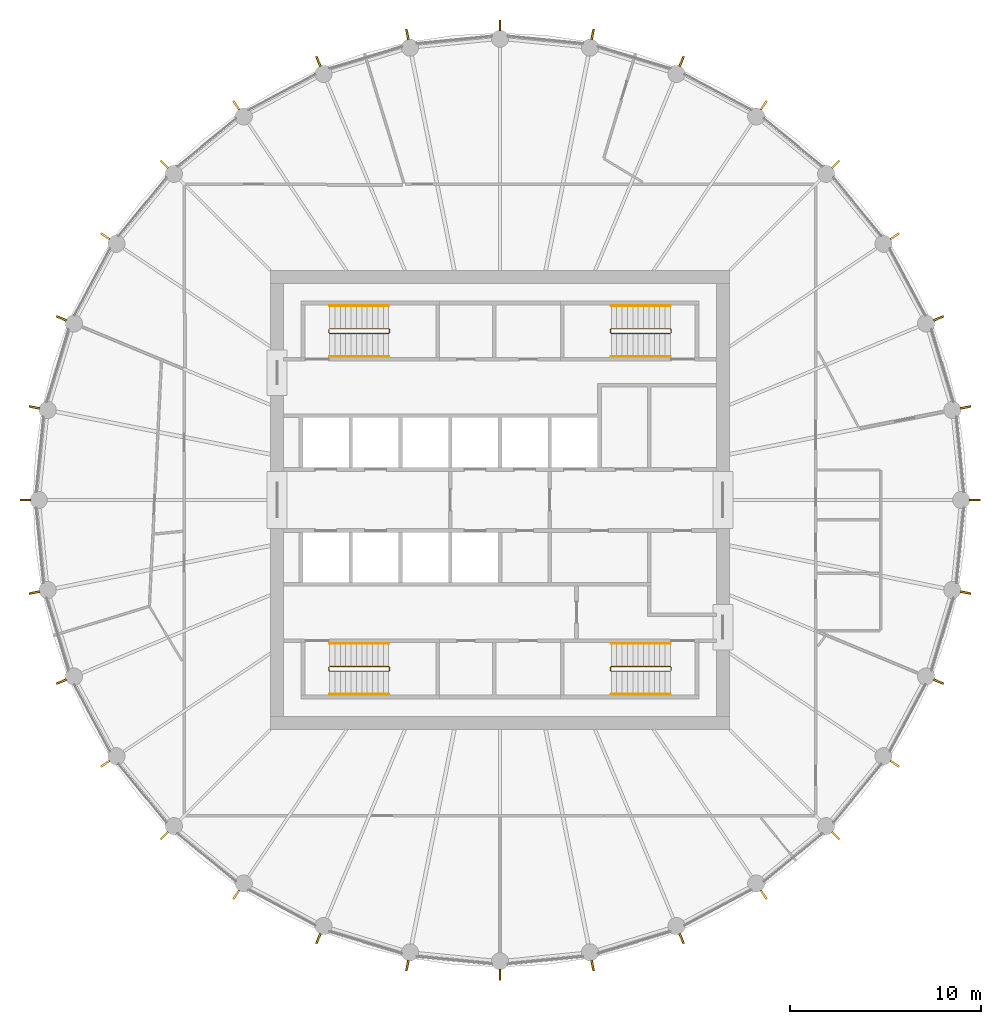
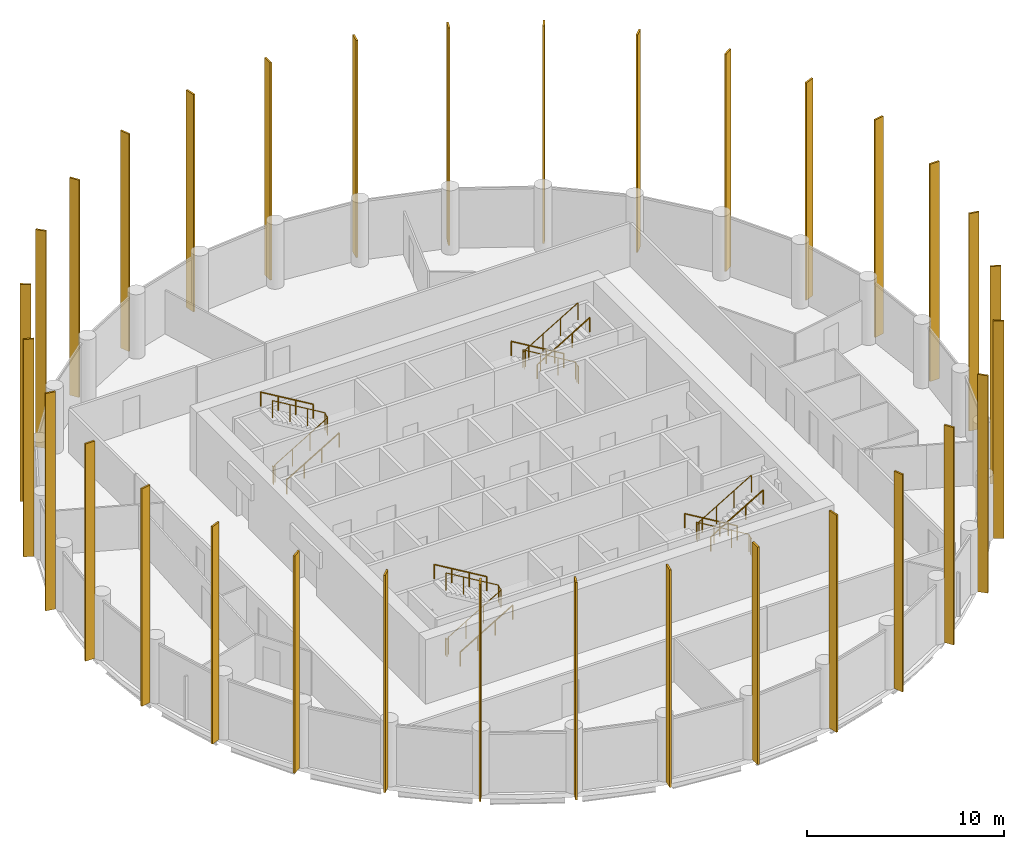
# One storey, part 7 of 7: 32 shading devices, 12 railings.
"""IFC4 building model written with IfcOpenShell, lengths in metres."""

from ifc_helpers import new_model, si_unit, direction, frame, origin, origin_2d, place, context, subcontext, project, spatial, rectangle, circle, extrude, material, material_profile, profile_set, type_object, element, save


model = new_model("IFC4")

# Units and contexts
model_context = context("Model", 3, precision=1e-05, world=origin(), true_north=direction((0.0, 1.0)))
body_context = subcontext(model_context, "Body", "Model", "MODEL_VIEW")
ifc_project = project(units=[si_unit("LENGTHUNIT", "METRE"), si_unit("AREAUNIT", "SQUARE_METRE"), si_unit("VOLUMEUNIT", "CUBIC_METRE"), si_unit("PLANEANGLEUNIT", "RADIAN"), si_unit("MASSUNIT", "GRAM", prefix="KILO")], contexts=[model_context])

# Site, building, storey
site_placement = place(None, origin())
site = spatial("IfcSite", under=ifc_project, at=site_placement, CompositionType="ELEMENT")
building_placement = place(site_placement, origin())
building = spatial("IfcBuilding", under=site, at=building_placement, Name="Corvane Civic Tower", CompositionType="ELEMENT")
storey_placement = place(building_placement, frame((0.0, 0.0, 311.0)))
storey = spatial("IfcBuildingStorey", under=building, at=storey_placement, Name="L74", CompositionType="ELEMENT", Elevation=311.0)

# Railings
ifc_material_1 = material(Name="Steel ASTM A572 Gr 50", Category="steel")
railing_type_1 = type_object("IfcRailingType", Name="ST-GUARD-1100", PredefinedType="GUARDRAIL", material=ifc_material_1)
railing_1_placement = place(storey_placement, frame((8.949951171875, 8.75, 0.0)))
element("IfcRailing", 1, at=railing_1_placement, inside=storey, type_object=railing_type_1, Name="L74 ST1 stair guard 1", PredefinedType="GUARDRAIL", context=body_context, shape_type="SweptSolid", body=[
    extrude(circle(Radius=0.02392578125, at=origin_2d()), frame((0.0, 0.0, 1.076171875), z_axis=(0.0, 1.0, 0.0), x_axis=(-1.0, 0.0, 0.0)), (0.0, 0.0, 1.0), 0.14990234375),
    extrude(circle(Radius=0.02392578125, at=origin_2d()), frame((0.0, 0.14990234375, 1.076171875), z_axis=(-0.27628659633, 0.27628659633, 0.920506074601), x_axis=(-0.707106781187, -0.707106781187, 0.0)), (0.0, 0.0, 1.0), 0.18115234375),
    extrude(circle(Radius=0.02392578125, at=origin_2d()), frame((-0.050048828125, 0.199951171875, 1.24267578125), z_axis=(-0.859290745958, 0.0, 0.51148745235), x_axis=(0.0, -1.0, 0.0)), (0.0, 0.0, 1.0), 3.584228515625),
    extrude(circle(Radius=0.02392578125, at=origin_2d()), frame((-3.1298828125, 0.199951171875, 3.076171875), z_axis=(-0.707106781187, -0.707106781187, 0.0), x_axis=(0.707106781187, -0.707106781187, 0.0)), (0.0, 0.0, 1.0), 0.07080078125),
    extrude(circle(Radius=0.02392578125, at=origin_2d()), frame((-3.179931640625, 0.14990234375, 3.076171875), z_axis=(0.0, -1.0, 0.0), x_axis=(1.0, 0.0, 0.0)), (0.0, 0.0, 1.0), 0.14990234375),
    extrude(circle(Radius=0.02392578125, at=origin_2d()), frame((-3.179931640625, 0.0, 3.076171875), z_axis=(0.27628659633, -0.27628659633, 0.920506074601), x_axis=(0.707106781187, 0.707106781187, 0.0)), (0.0, 0.0, 1.0), 0.18115234375),
    extrude(circle(Radius=0.02392578125, at=origin_2d()), frame((-3.1298828125, -0.050048828125, 3.24267578125), z_axis=(0.859290745958, 0.0, 0.51148745235), x_axis=(0.0, 1.0, 0.0)), (0.0, 0.0, 1.0), 3.584228515625),
    extrude(circle(Radius=0.02099609375, at=origin_2d()), origin(), (0.0, 0.0, 1.0), 1.052001953125),
    extrude(circle(Radius=0.02099609375, at=origin_2d()), frame((0.0, 0.14990234375, 0.0)), (0.0, 0.0, 1.0), 1.052001953125),
    extrude(circle(Radius=0.02099609375, at=origin_2d()), frame((-0.050048828125, 0.199951171875, 0.166748046875)), (0.0, 0.0, 1.0), 1.052001953125),
    extrude(circle(Radius=0.02099609375, at=origin_2d()), frame((-1.07666015625, 0.199951171875, 0.77783203125)), (0.0, 0.0, 1.0), 1.052001953125),
    extrude(circle(Radius=0.02099609375, at=origin_2d()), frame((-2.103271484375, 0.199951171875, 1.388916015625)), (0.0, 0.0, 1.0), 1.052001953125),
    extrude(circle(Radius=0.02099609375, at=origin_2d()), frame((-3.1298828125, 0.199951171875, 2.0)), (0.0, 0.0, 1.0), 1.052001953125),
    extrude(circle(Radius=0.02099609375, at=origin_2d()), frame((-3.179931640625, 0.14990234375, 2.0)), (0.0, 0.0, 1.0), 1.052001953125),
    extrude(circle(Radius=0.02099609375, at=origin_2d()), frame((-3.179931640625, 0.0, 2.0)), (0.0, 0.0, 1.0), 1.052001953125),
    extrude(circle(Radius=0.02099609375, at=origin_2d()), frame((-3.1298828125, -0.050048828125, 2.166748046875)), (0.0, 0.0, 1.0), 1.052001953125),
    extrude(circle(Radius=0.02099609375, at=origin_2d()), frame((-2.103271484375, -0.050048828125, 2.77783203125)), (0.0, 0.0, 1.0), 1.052001953125),
    extrude(circle(Radius=0.02099609375, at=origin_2d()), frame((-1.07666015625, -0.050048828125, 3.388916015625)), (0.0, 0.0, 1.0), 1.052001953125),
    extrude(circle(Radius=0.02099609375, at=origin_2d()), frame((-0.050048828125, -0.050048828125, 4.0)), (0.0, 0.0, 1.0), 1.052001953125),
])
railing_2_placement = place(storey_placement, frame((8.949951171875, -8.89990234375, 0.0)))
element("IfcRailing", 2, at=railing_2_placement, inside=storey, type_object=railing_type_1, Name="L74 ST2 stair guard 1", PredefinedType="GUARDRAIL", context=body_context, shape_type="SweptSolid", body=[
    extrude(circle(Radius=0.02392578125, at=origin_2d()), frame((0.0, 0.0, 1.076171875), z_axis=(0.0, 1.0, 0.0), x_axis=(-1.0, 0.0, 0.0)), (0.0, 0.0, 1.0), 0.14990234375),
    extrude(circle(Radius=0.02392578125, at=origin_2d()), frame((0.0, 0.14990234375, 1.076171875), z_axis=(-0.27628659633, 0.27628659633, 0.920506074601), x_axis=(-0.707106781187, -0.707106781187, 0.0)), (0.0, 0.0, 1.0), 0.18115234375),
    extrude(circle(Radius=0.02392578125, at=origin_2d()), frame((-0.050048828125, 0.199951171875, 1.24267578125), z_axis=(-0.859290745958, 0.0, 0.51148745235), x_axis=(0.0, -1.0, 0.0)), (0.0, 0.0, 1.0), 3.584228515625),
    extrude(circle(Radius=0.02392578125, at=origin_2d()), frame((-3.1298828125, 0.199951171875, 3.076171875), z_axis=(-0.707106781187, -0.707106781187, 0.0), x_axis=(0.707106781187, -0.707106781187, 0.0)), (0.0, 0.0, 1.0), 0.07080078125),
    extrude(circle(Radius=0.02392578125, at=origin_2d()), frame((-3.179931640625, 0.14990234375, 3.076171875), z_axis=(0.0, -1.0, 0.0), x_axis=(1.0, 0.0, 0.0)), (0.0, 0.0, 1.0), 0.14990234375),
    extrude(circle(Radius=0.02392578125, at=origin_2d()), frame((-3.179931640625, 0.0, 3.076171875), z_axis=(0.27628659633, -0.27628659633, 0.920506074601), x_axis=(0.707106781187, 0.707106781187, 0.0)), (0.0, 0.0, 1.0), 0.18115234375),
    extrude(circle(Radius=0.02392578125, at=origin_2d()), frame((-3.1298828125, -0.050048828125, 3.24267578125), z_axis=(0.859290745958, 0.0, 0.51148745235), x_axis=(0.0, 1.0, 0.0)), (0.0, 0.0, 1.0), 3.584228515625),
    extrude(circle(Radius=0.02099609375, at=origin_2d()), origin(), (0.0, 0.0, 1.0), 1.052001953125),
    extrude(circle(Radius=0.02099609375, at=origin_2d()), frame((0.0, 0.14990234375, 0.0)), (0.0, 0.0, 1.0), 1.052001953125),
    extrude(circle(Radius=0.02099609375, at=origin_2d()), frame((-0.050048828125, 0.199951171875, 0.166748046875)), (0.0, 0.0, 1.0), 1.052001953125),
    extrude(circle(Radius=0.02099609375, at=origin_2d()), frame((-1.07666015625, 0.199951171875, 0.77783203125)), (0.0, 0.0, 1.0), 1.052001953125),
    extrude(circle(Radius=0.02099609375, at=origin_2d()), frame((-2.103271484375, 0.199951171875, 1.388916015625)), (0.0, 0.0, 1.0), 1.052001953125),
    extrude(circle(Radius=0.02099609375, at=origin_2d()), frame((-3.1298828125, 0.199951171875, 2.0)), (0.0, 0.0, 1.0), 1.052001953125),
    extrude(circle(Radius=0.02099609375, at=origin_2d()), frame((-3.179931640625, 0.14990234375, 2.0)), (0.0, 0.0, 1.0), 1.052001953125),
    extrude(circle(Radius=0.02099609375, at=origin_2d()), frame((-3.179931640625, 0.0, 2.0)), (0.0, 0.0, 1.0), 1.052001953125),
    extrude(circle(Radius=0.02099609375, at=origin_2d()), frame((-3.1298828125, -0.050048828125, 2.166748046875)), (0.0, 0.0, 1.0), 1.052001953125),
    extrude(circle(Radius=0.02099609375, at=origin_2d()), frame((-2.103271484375, -0.050048828125, 2.77783203125)), (0.0, 0.0, 1.0), 1.052001953125),
    extrude(circle(Radius=0.02099609375, at=origin_2d()), frame((-1.07666015625, -0.050048828125, 3.388916015625)), (0.0, 0.0, 1.0), 1.052001953125),
    extrude(circle(Radius=0.02099609375, at=origin_2d()), frame((-0.050048828125, -0.050048828125, 4.0)), (0.0, 0.0, 1.0), 1.052001953125),
])
railing_3_placement = place(storey_placement, frame((-8.949951171875, -8.75, 0.0)))
element("IfcRailing", 3, at=railing_3_placement, inside=storey, type_object=railing_type_1, Name="L74 ST3 stair guard 1", PredefinedType="GUARDRAIL", context=body_context, shape_type="SweptSolid", body=[
    extrude(circle(Radius=0.02392578125, at=origin_2d()), frame((0.0, 0.0, 1.076171875), z_axis=(0.0, -1.0, 0.0), x_axis=(1.0, 0.0, 0.0)), (0.0, 0.0, 1.0), 0.14990234375),
    extrude(circle(Radius=0.02392578125, at=origin_2d()), frame((0.0, -0.14990234375, 1.076171875), z_axis=(0.27628659633, -0.27628659633, 0.920506074601), x_axis=(0.707106781187, 0.707106781187, 0.0)), (0.0, 0.0, 1.0), 0.18115234375),
    extrude(circle(Radius=0.02392578125, at=origin_2d()), frame((0.050048828125, -0.199951171875, 1.24267578125), z_axis=(0.859290745958, 0.0, 0.51148745235), x_axis=(0.0, 1.0, 0.0)), (0.0, 0.0, 1.0), 3.584228515625),
    extrude(circle(Radius=0.02392578125, at=origin_2d()), frame((3.1298828125, -0.199951171875, 3.076171875), z_axis=(0.707106781187, 0.707106781187, 0.0), x_axis=(-0.707106781187, 0.707106781187, 0.0)), (0.0, 0.0, 1.0), 0.07080078125),
    extrude(circle(Radius=0.02392578125, at=origin_2d()), frame((3.179931640625, -0.14990234375, 3.076171875), z_axis=(0.0, 1.0, 0.0), x_axis=(-1.0, 0.0, 0.0)), (0.0, 0.0, 1.0), 0.14990234375),
    extrude(circle(Radius=0.02392578125, at=origin_2d()), frame((3.179931640625, 0.0, 3.076171875), z_axis=(-0.27628659633, 0.27628659633, 0.920506074601), x_axis=(-0.707106781187, -0.707106781187, 0.0)), (0.0, 0.0, 1.0), 0.18115234375),
    extrude(circle(Radius=0.02392578125, at=origin_2d()), frame((3.1298828125, 0.050048828125, 3.24267578125), z_axis=(-0.859290745958, 0.0, 0.51148745235), x_axis=(0.0, -1.0, 0.0)), (0.0, 0.0, 1.0), 3.584228515625),
    extrude(circle(Radius=0.02099609375, at=origin_2d()), origin(), (0.0, 0.0, 1.0), 1.052001953125),
    extrude(circle(Radius=0.02099609375, at=origin_2d()), frame((0.0, -0.14990234375, 0.0)), (0.0, 0.0, 1.0), 1.052001953125),
    extrude(circle(Radius=0.02099609375, at=origin_2d()), frame((0.050048828125, -0.199951171875, 0.166748046875)), (0.0, 0.0, 1.0), 1.052001953125),
    extrude(circle(Radius=0.02099609375, at=origin_2d()), frame((1.07666015625, -0.199951171875, 0.77783203125)), (0.0, 0.0, 1.0), 1.052001953125),
    extrude(circle(Radius=0.02099609375, at=origin_2d()), frame((2.103271484375, -0.199951171875, 1.388916015625)), (0.0, 0.0, 1.0), 1.052001953125),
    extrude(circle(Radius=0.02099609375, at=origin_2d()), frame((3.1298828125, -0.199951171875, 2.0)), (0.0, 0.0, 1.0), 1.052001953125),
    extrude(circle(Radius=0.02099609375, at=origin_2d()), frame((3.179931640625, -0.14990234375, 2.0)), (0.0, 0.0, 1.0), 1.052001953125),
    extrude(circle(Radius=0.02099609375, at=origin_2d()), frame((3.179931640625, 0.0, 2.0)), (0.0, 0.0, 1.0), 1.052001953125),
    extrude(circle(Radius=0.02099609375, at=origin_2d()), frame((3.1298828125, 0.050048828125, 2.166748046875)), (0.0, 0.0, 1.0), 1.052001953125),
    extrude(circle(Radius=0.02099609375, at=origin_2d()), frame((2.103271484375, 0.050048828125, 2.77783203125)), (0.0, 0.0, 1.0), 1.052001953125),
    extrude(circle(Radius=0.02099609375, at=origin_2d()), frame((1.07666015625, 0.050048828125, 3.388916015625)), (0.0, 0.0, 1.0), 1.052001953125),
    extrude(circle(Radius=0.02099609375, at=origin_2d()), frame((0.050048828125, 0.050048828125, 4.0)), (0.0, 0.0, 1.0), 1.052001953125),
])
railing_4_placement = place(storey_placement, frame((-8.949951171875, 8.89990234375, 0.0)))
element("IfcRailing", 4, at=railing_4_placement, inside=storey, type_object=railing_type_1, Name="L74 ST4 stair guard 1", PredefinedType="GUARDRAIL", context=body_context, shape_type="SweptSolid", body=[
    extrude(circle(Radius=0.02392578125, at=origin_2d()), frame((0.0, 0.0, 1.076171875), z_axis=(0.0, -1.0, 0.0), x_axis=(1.0, 0.0, 0.0)), (0.0, 0.0, 1.0), 0.14990234375),
    extrude(circle(Radius=0.02392578125, at=origin_2d()), frame((0.0, -0.14990234375, 1.076171875), z_axis=(0.27628659633, -0.27628659633, 0.920506074601), x_axis=(0.707106781187, 0.707106781187, 0.0)), (0.0, 0.0, 1.0), 0.18115234375),
    extrude(circle(Radius=0.02392578125, at=origin_2d()), frame((0.050048828125, -0.199951171875, 1.24267578125), z_axis=(0.859290745958, 0.0, 0.51148745235), x_axis=(0.0, 1.0, 0.0)), (0.0, 0.0, 1.0), 3.584228515625),
    extrude(circle(Radius=0.02392578125, at=origin_2d()), frame((3.1298828125, -0.199951171875, 3.076171875), z_axis=(0.707106781187, 0.707106781187, 0.0), x_axis=(-0.707106781187, 0.707106781187, 0.0)), (0.0, 0.0, 1.0), 0.07080078125),
    extrude(circle(Radius=0.02392578125, at=origin_2d()), frame((3.179931640625, -0.14990234375, 3.076171875), z_axis=(0.0, 1.0, 0.0), x_axis=(-1.0, 0.0, 0.0)), (0.0, 0.0, 1.0), 0.14990234375),
    extrude(circle(Radius=0.02392578125, at=origin_2d()), frame((3.179931640625, 0.0, 3.076171875), z_axis=(-0.27628659633, 0.27628659633, 0.920506074601), x_axis=(-0.707106781187, -0.707106781187, 0.0)), (0.0, 0.0, 1.0), 0.18115234375),
    extrude(circle(Radius=0.02392578125, at=origin_2d()), frame((3.1298828125, 0.050048828125, 3.24267578125), z_axis=(-0.859290745958, 0.0, 0.51148745235), x_axis=(0.0, -1.0, 0.0)), (0.0, 0.0, 1.0), 3.584228515625),
    extrude(circle(Radius=0.02099609375, at=origin_2d()), origin(), (0.0, 0.0, 1.0), 1.052001953125),
    extrude(circle(Radius=0.02099609375, at=origin_2d()), frame((0.0, -0.14990234375, 0.0)), (0.0, 0.0, 1.0), 1.052001953125),
    extrude(circle(Radius=0.02099609375, at=origin_2d()), frame((0.050048828125, -0.199951171875, 0.166748046875)), (0.0, 0.0, 1.0), 1.052001953125),
    extrude(circle(Radius=0.02099609375, at=origin_2d()), frame((1.07666015625, -0.199951171875, 0.77783203125)), (0.0, 0.0, 1.0), 1.052001953125),
    extrude(circle(Radius=0.02099609375, at=origin_2d()), frame((2.103271484375, -0.199951171875, 1.388916015625)), (0.0, 0.0, 1.0), 1.052001953125),
    extrude(circle(Radius=0.02099609375, at=origin_2d()), frame((3.1298828125, -0.199951171875, 2.0)), (0.0, 0.0, 1.0), 1.052001953125),
    extrude(circle(Radius=0.02099609375, at=origin_2d()), frame((3.179931640625, -0.14990234375, 2.0)), (0.0, 0.0, 1.0), 1.052001953125),
    extrude(circle(Radius=0.02099609375, at=origin_2d()), frame((3.179931640625, 0.0, 2.0)), (0.0, 0.0, 1.0), 1.052001953125),
    extrude(circle(Radius=0.02099609375, at=origin_2d()), frame((3.1298828125, 0.050048828125, 2.166748046875)), (0.0, 0.0, 1.0), 1.052001953125),
    extrude(circle(Radius=0.02099609375, at=origin_2d()), frame((2.103271484375, 0.050048828125, 2.77783203125)), (0.0, 0.0, 1.0), 1.052001953125),
    extrude(circle(Radius=0.02099609375, at=origin_2d()), frame((1.07666015625, 0.050048828125, 3.388916015625)), (0.0, 0.0, 1.0), 1.052001953125),
    extrude(circle(Radius=0.02099609375, at=origin_2d()), frame((0.050048828125, 0.050048828125, 4.0)), (0.0, 0.0, 1.0), 1.052001953125),
])
ifc_material_2 = material(Name="Steel ASTM A572 Gr 50", Category="steel")
railing_type_2 = type_object("IfcRailingType", Name="ST-HANDRAIL-900", PredefinedType="HANDRAIL", material=ifc_material_2)
railing_5_placement = place(storey_placement, frame((8.89990234375, 10.14990234375, 0.166748046875)))
element("IfcRailing", 5, at=railing_5_placement, inside=storey, type_object=railing_type_2, Name="L74 ST1 stair handrail 1", PredefinedType="HANDRAIL", context=body_context, shape_type="SweptSolid", body=[
    extrude(circle(Radius=0.02392578125, at=origin_2d()), frame((0.0, 0.0, 0.8759765625), z_axis=(-0.859290745958, 0.0, 0.51148745235), x_axis=(0.0, -1.0, 0.0)), (0.0, 0.0, 1.0), 3.584228515625),
    extrude(circle(Radius=0.02099609375, at=origin_2d()), origin(), (0.0, 0.0, 1.0), 0.851806640625),
    extrude(circle(Radius=0.02099609375, at=origin_2d()), frame((-1.026611328125, 0.0, 0.611083984375)), (0.0, 0.0, 1.0), 0.851806640625),
    extrude(circle(Radius=0.02099609375, at=origin_2d()), frame((-2.05322265625, 0.0, 1.22216796875)), (0.0, 0.0, 1.0), 0.851806640625),
    extrude(circle(Radius=0.02099609375, at=origin_2d()), frame((-3.079833984375, 0.0, 1.833251953125)), (0.0, 0.0, 1.0), 0.851806640625),
])
railing_6_placement = place(storey_placement, frame((5.820068359375, 7.5, 2.166748046875)))
element("IfcRailing", 6, at=railing_6_placement, inside=storey, type_object=railing_type_2, Name="L74 ST1 stair handrail 2", PredefinedType="HANDRAIL", context=body_context, shape_type="SweptSolid", body=[
    extrude(circle(Radius=0.02392578125, at=origin_2d()), frame((0.0, 0.0, 0.8759765625), z_axis=(0.859290745958, 0.0, 0.51148745235), x_axis=(0.0, 1.0, 0.0)), (0.0, 0.0, 1.0), 3.584228515625),
    extrude(circle(Radius=0.02099609375, at=origin_2d()), origin(), (0.0, 0.0, 1.0), 0.851806640625),
    extrude(circle(Radius=0.02099609375, at=origin_2d()), frame((1.026611328125, 0.0, 0.611083984375)), (0.0, 0.0, 1.0), 0.851806640625),
    extrude(circle(Radius=0.02099609375, at=origin_2d()), frame((2.05322265625, 0.0, 1.22216796875)), (0.0, 0.0, 1.0), 0.851806640625),
    extrude(circle(Radius=0.02099609375, at=origin_2d()), frame((3.079833984375, 0.0, 1.833251953125)), (0.0, 0.0, 1.0), 0.851806640625),
])
railing_7_placement = place(storey_placement, frame((8.89990234375, -7.5, 0.166748046875)))
element("IfcRailing", 7, at=railing_7_placement, inside=storey, type_object=railing_type_2, Name="L74 ST2 stair handrail 1", PredefinedType="HANDRAIL", context=body_context, shape_type="SweptSolid", body=[
    extrude(circle(Radius=0.02392578125, at=origin_2d()), frame((0.0, 0.0, 0.8759765625), z_axis=(-0.859290745958, 0.0, 0.51148745235), x_axis=(0.0, -1.0, 0.0)), (0.0, 0.0, 1.0), 3.584228515625),
    extrude(circle(Radius=0.02099609375, at=origin_2d()), origin(), (0.0, 0.0, 1.0), 0.851806640625),
    extrude(circle(Radius=0.02099609375, at=origin_2d()), frame((-1.026611328125, 0.0, 0.611083984375)), (0.0, 0.0, 1.0), 0.851806640625),
    extrude(circle(Radius=0.02099609375, at=origin_2d()), frame((-2.05322265625, 0.0, 1.22216796875)), (0.0, 0.0, 1.0), 0.851806640625),
    extrude(circle(Radius=0.02099609375, at=origin_2d()), frame((-3.079833984375, 0.0, 1.833251953125)), (0.0, 0.0, 1.0), 0.851806640625),
])
for number, where, name in (
    (8, (5.820068359375, -10.14990234375, 2.166748046875), "L74 ST2 stair handrail 2"),
    (9, (-8.89990234375, -10.14990234375, 0.166748046875), "L74 ST3 stair handrail 1"),
):
    element("IfcRailing", number, at=place(storey_placement, frame(where)), inside=storey, type_object=railing_type_2, Name=name, PredefinedType="HANDRAIL", context=body_context, shape_type="SweptSolid", body=[
        extrude(circle(Radius=0.02392578125, at=origin_2d()), frame((0.0, 0.0, 0.8759765625), z_axis=(0.859290745958, 0.0, 0.51148745235), x_axis=(0.0, 1.0, 0.0)), (0.0, 0.0, 1.0), 3.584228515625),
        extrude(circle(Radius=0.02099609375, at=origin_2d()), origin(), (0.0, 0.0, 1.0), 0.851806640625),
        extrude(circle(Radius=0.02099609375, at=origin_2d()), frame((1.026611328125, 0.0, 0.611083984375)), (0.0, 0.0, 1.0), 0.851806640625),
        extrude(circle(Radius=0.02099609375, at=origin_2d()), frame((2.05322265625, 0.0, 1.22216796875)), (0.0, 0.0, 1.0), 0.851806640625),
        extrude(circle(Radius=0.02099609375, at=origin_2d()), frame((3.079833984375, 0.0, 1.833251953125)), (0.0, 0.0, 1.0), 0.851806640625),
    ])
railing_8_placement = place(storey_placement, frame((-5.820068359375, -7.5, 2.166748046875)))
element("IfcRailing", 10, at=railing_8_placement, inside=storey, type_object=railing_type_2, Name="L74 ST3 stair handrail 2", PredefinedType="HANDRAIL", context=body_context, shape_type="SweptSolid", body=[
    extrude(circle(Radius=0.02392578125, at=origin_2d()), frame((0.0, 0.0, 0.8759765625), z_axis=(-0.859290745958, 0.0, 0.51148745235), x_axis=(0.0, -1.0, 0.0)), (0.0, 0.0, 1.0), 3.584228515625),
    extrude(circle(Radius=0.02099609375, at=origin_2d()), origin(), (0.0, 0.0, 1.0), 0.851806640625),
    extrude(circle(Radius=0.02099609375, at=origin_2d()), frame((-1.026611328125, 0.0, 0.611083984375)), (0.0, 0.0, 1.0), 0.851806640625),
    extrude(circle(Radius=0.02099609375, at=origin_2d()), frame((-2.05322265625, 0.0, 1.22216796875)), (0.0, 0.0, 1.0), 0.851806640625),
    extrude(circle(Radius=0.02099609375, at=origin_2d()), frame((-3.079833984375, 0.0, 1.833251953125)), (0.0, 0.0, 1.0), 0.851806640625),
])
railing_9_placement = place(storey_placement, frame((-8.89990234375, 7.5, 0.166748046875)))
element("IfcRailing", 11, at=railing_9_placement, inside=storey, type_object=railing_type_2, Name="L74 ST4 stair handrail 1", PredefinedType="HANDRAIL", context=body_context, shape_type="SweptSolid", body=[
    extrude(circle(Radius=0.02392578125, at=origin_2d()), frame((0.0, 0.0, 0.8759765625), z_axis=(0.859290745958, 0.0, 0.51148745235), x_axis=(0.0, 1.0, 0.0)), (0.0, 0.0, 1.0), 3.584228515625),
    extrude(circle(Radius=0.02099609375, at=origin_2d()), origin(), (0.0, 0.0, 1.0), 0.851806640625),
    extrude(circle(Radius=0.02099609375, at=origin_2d()), frame((1.026611328125, 0.0, 0.611083984375)), (0.0, 0.0, 1.0), 0.851806640625),
    extrude(circle(Radius=0.02099609375, at=origin_2d()), frame((2.05322265625, 0.0, 1.22216796875)), (0.0, 0.0, 1.0), 0.851806640625),
    extrude(circle(Radius=0.02099609375, at=origin_2d()), frame((3.079833984375, 0.0, 1.833251953125)), (0.0, 0.0, 1.0), 0.851806640625),
])
railing_10_placement = place(storey_placement, frame((-5.820068359375, 10.14990234375, 2.166748046875)))
element("IfcRailing", 12, at=railing_10_placement, inside=storey, type_object=railing_type_2, Name="L74 ST4 stair handrail 2", PredefinedType="HANDRAIL", context=body_context, shape_type="SweptSolid", body=[
    extrude(circle(Radius=0.02392578125, at=origin_2d()), frame((0.0, 0.0, 0.8759765625), z_axis=(-0.859290745958, 0.0, 0.51148745235), x_axis=(0.0, -1.0, 0.0)), (0.0, 0.0, 1.0), 3.584228515625),
    extrude(circle(Radius=0.02099609375, at=origin_2d()), origin(), (0.0, 0.0, 1.0), 0.851806640625),
    extrude(circle(Radius=0.02099609375, at=origin_2d()), frame((-1.026611328125, 0.0, 0.611083984375)), (0.0, 0.0, 1.0), 0.851806640625),
    extrude(circle(Radius=0.02099609375, at=origin_2d()), frame((-2.05322265625, 0.0, 1.22216796875)), (0.0, 0.0, 1.0), 0.851806640625),
    extrude(circle(Radius=0.02099609375, at=origin_2d()), frame((-3.079833984375, 0.0, 1.833251953125)), (0.0, 0.0, 1.0), 0.851806640625),
])

# Shading devices
ifc_material_3 = material(Name="Anodised aluminium bronze", Category="aluminium")
ifc_material_profile = material_profile(ifc_material_3, rectangle(XDim=0.10009765625, YDim=0.550048828125, at=origin_2d()), Name="TOWER FIN STACK 100x550 BRONZE")
ifc_profile_set = profile_set([ifc_material_profile], Name="Anodised aluminium bronze")
shading_device_type = type_object("IfcShadingDeviceType", Name="TOWER FIN STACK 100x550 BRONZE", PredefinedType="USERDEFINED", material=ifc_profile_set)
for number, where, z_axis, x_axis, name in (
    (13, (0.0, 24.804931640625, 0.0), (0.0, 0.0, 1.0), (1.0, 0.0, 0.0), "Fin 01 L74 to L76"),
    (14, (4.839111328125, 24.328369140625, 0.0), (0.0, 0.0, 1.0), (0.980785280403, -0.195090322016, 0.0), "Fin 02 L74 to L76"),
    (15, (9.492431640625, 22.916748046875, 0.0), (0.0, 0.0, 1.0), (0.923879532511, -0.382683432365, 0.0), "Fin 03 L74 to L76"),
    (16, (13.781005859375, 20.62451171875, 0.0), (0.0, 0.0, 1.0), (0.831469612303, -0.55557023302, 0.0), "Fin 04 L74 to L76"),
    (17, (17.539794921875, 17.539794921875, 0.0), (0.0, 0.0, 1.0), (0.707106781187, -0.707106781187, 0.0), "Fin 05 L74 to L76"),
    (18, (20.62451171875, 13.781005859375, 0.0), (0.0, 0.0, 1.0), (0.55557023302, -0.831469612303, 0.0), "Fin 06 L74 to L76"),
    (19, (22.916748046875, 9.492431640625, 0.0), (0.0, 0.0, 1.0), (0.382683432365, -0.923879532511, 0.0), "Fin 07 L74 to L76"),
    (20, (24.328369140625, 4.839111328125, 0.0), (0.0, 0.0, 1.0), (0.195090322016, -0.980785280403, 0.0), "Fin 08 L74 to L76"),
    (21, (24.804931640625, 0.0, 0.0), (0.0, 0.0, 1.0), (0.0, -1.0, 0.0), "Fin 09 L74 to L76"),
    (22, (24.328369140625, -4.839111328125, 0.0), (0.0, 0.0, 1.0), (-0.195090322016, -0.980785280403, 0.0), "Fin 10 L74 to L76"),
    (23, (22.916748046875, -9.492431640625, 0.0), (0.0, 0.0, 1.0), (-0.382683432365, -0.923879532511, 0.0), "Fin 11 L74 to L76"),
    (24, (20.62451171875, -13.781005859375, 0.0), (0.0, 0.0, 1.0), (-0.55557023302, -0.831469612303, 0.0), "Fin 12 L74 to L76"),
    (25, (17.539794921875, -17.539794921875, 0.0), (0.0, 0.0, 1.0), (-0.707106781187, -0.707106781187, 0.0), "Fin 13 L74 to L76"),
    (26, (13.781005859375, -20.62451171875, 0.0), (0.0, 0.0, 1.0), (-0.831469612303, -0.55557023302, 0.0), "Fin 14 L74 to L76"),
    (27, (9.492431640625, -22.916748046875, 0.0), (0.0, 0.0, 1.0), (-0.923879532511, -0.382683432365, 0.0), "Fin 15 L74 to L76"),
    (28, (4.839111328125, -24.328369140625, 0.0), (0.0, 0.0, 1.0), (-0.980785280403, -0.195090322016, 0.0), "Fin 16 L74 to L76"),
    (29, (0.0, -24.804931640625, 0.0), (0.0, 0.0, 1.0), (-1.0, 0.0, 0.0), "Fin 17 L74 to L76"),
    (30, (-4.839111328125, -24.328369140625, 0.0), (0.0, 0.0, 1.0), (-0.980785280403, 0.195090322016, 0.0), "Fin 18 L74 to L76"),
    (31, (-9.492431640625, -22.916748046875, 0.0), (0.0, 0.0, 1.0), (-0.923879532511, 0.382683432365, 0.0), "Fin 19 L74 to L76"),
    (32, (-13.781005859375, -20.62451171875, 0.0), (0.0, 0.0, 1.0), (-0.831469612303, 0.55557023302, 0.0), "Fin 20 L74 to L76"),
    (33, (-17.539794921875, -17.539794921875, 0.0), (0.0, 0.0, 1.0), (-0.707106781187, 0.707106781187, 0.0), "Fin 21 L74 to L76"),
    (34, (-20.62451171875, -13.781005859375, 0.0), (0.0, 0.0, 1.0), (-0.55557023302, 0.831469612303, 0.0), "Fin 22 L74 to L76"),
    (35, (-22.916748046875, -9.492431640625, 0.0), (0.0, 0.0, 1.0), (-0.382683432365, 0.923879532511, 0.0), "Fin 23 L74 to L76"),
    (36, (-24.328369140625, -4.839111328125, 0.0), (0.0, 0.0, 1.0), (-0.195090322016, 0.980785280403, 0.0), "Fin 24 L74 to L76"),
    (37, (-24.804931640625, 0.0, 0.0), (0.0, 0.0, 1.0), (0.0, 1.0, 0.0), "Fin 25 L74 to L76"),
    (38, (-24.328369140625, 4.839111328125, 0.0), (0.0, 0.0, 1.0), (0.195090322016, 0.980785280403, 0.0), "Fin 26 L74 to L76"),
    (39, (-22.916748046875, 9.492431640625, 0.0), (0.0, 0.0, 1.0), (0.382683432365, 0.923879532511, 0.0), "Fin 27 L74 to L76"),
    (40, (-20.62451171875, 13.781005859375, 0.0), (0.0, 0.0, 1.0), (0.55557023302, 0.831469612303, 0.0), "Fin 28 L74 to L76"),
    (41, (-17.539794921875, 17.539794921875, 0.0), (0.0, 0.0, 1.0), (0.707106781187, 0.707106781187, 0.0), "Fin 29 L74 to L76"),
    (42, (-13.781005859375, 20.62451171875, 0.0), (0.0, 0.0, 1.0), (0.831469612303, 0.55557023302, 0.0), "Fin 30 L74 to L76"),
    (43, (-9.492431640625, 22.916748046875, 0.0), (0.0, 0.0, 1.0), (0.923879532511, 0.382683432365, 0.0), "Fin 31 L74 to L76"),
    (44, (-4.839111328125, 24.328369140625, 0.0), (0.0, 0.0, 1.0), (0.980785280403, 0.195090322016, 0.0), "Fin 32 L74 to L76"),
):
    element("IfcShadingDevice", number, at=place(storey_placement, frame(where, z_axis=z_axis, x_axis=x_axis)), inside=storey, type_object=shading_device_type, Name=name, ObjectType="FIN", PredefinedType="USERDEFINED", context=body_context, shape_type="SweptSolid", body=[
        extrude(rectangle(XDim=0.10009765625, YDim=0.550048828125, at=origin_2d()), origin(), (0.0, 0.0, 1.0), 13.5),
    ])

save(model, "model.ifc")
